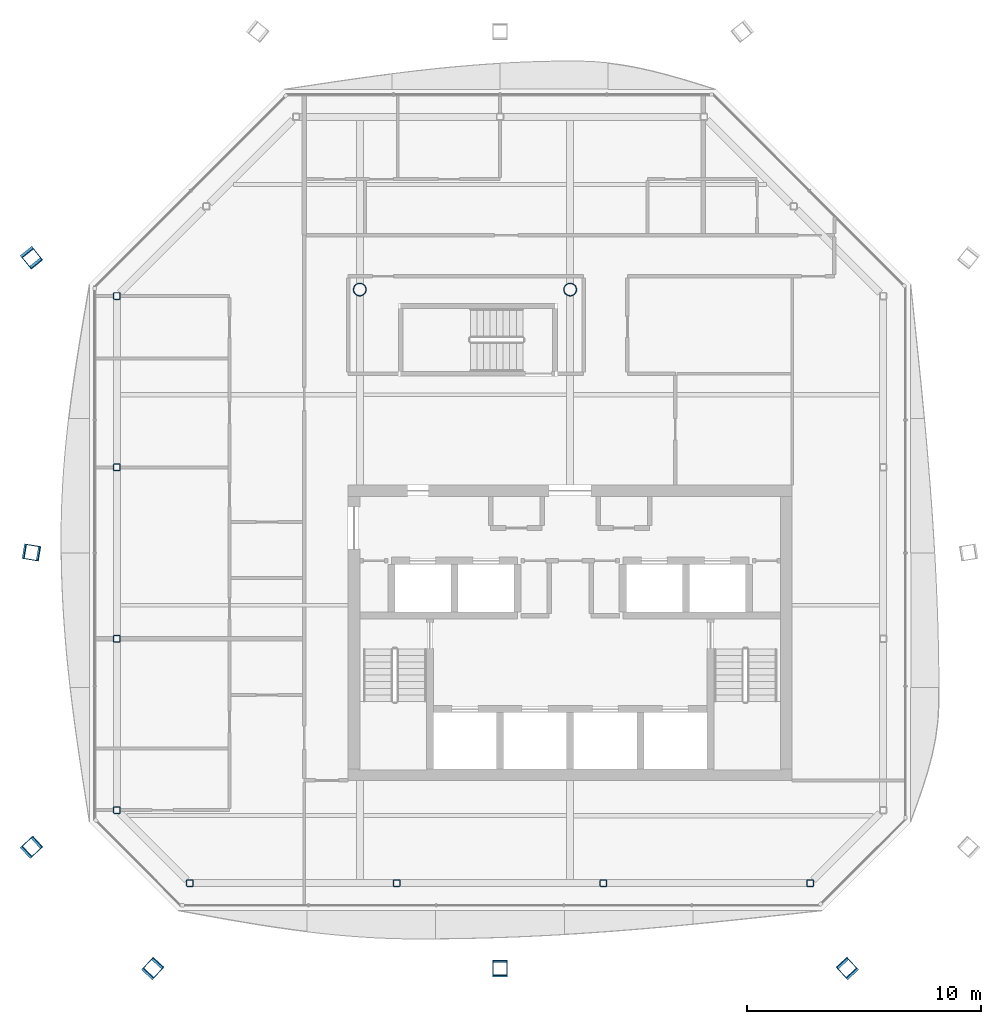
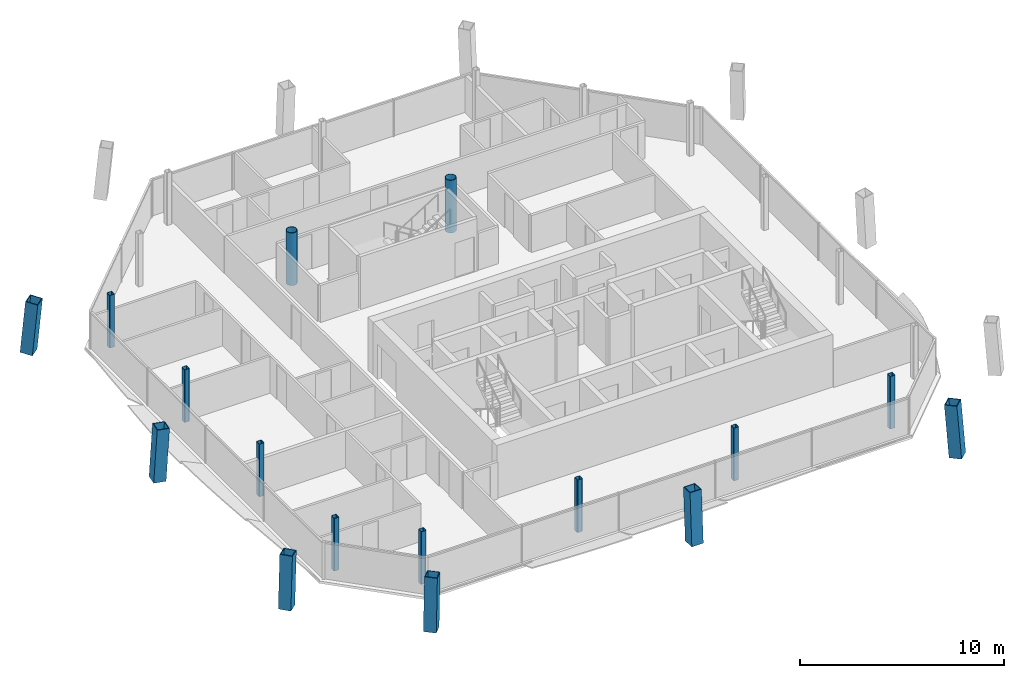
# One storey, part 1 of 16: 16 columns.
"""IFC4 building model written with IfcOpenShell, lengths in metres."""

import ifcopenshell
import ifcopenshell.guid

model = None  # the IFC model being written
_history = None  # IfcOwnerHistory: only IFC2X3 demands one
_inside = {}  # id of a spatial element -> (the spatial element, [elements in it])
_under = {}  # id of a project, library or spatial element -> (it, [spatial elements below it])
_declared = {}  # id of a project -> (the project, [libraries it declares])
_typed = {}  # id of a type object -> (the type object, [elements of that type])
_made_of = {}  # id of a material, layer set ... -> (it, [elements and type objects made of it])


def new_model(schema):
    """Start an empty IFC model of exactly this schema.

    Asked for "IFC4X3", IfcOpenShell would pick the latest addendum, in which some entities
    have other attributes; the version numbers below select the first issue.
    IFC2X3 requires an IfcOwnerHistory on every rooted entity: one is made here for all.
    """
    global model, _history
    if schema == "IFC4X3":
        model = ifcopenshell.file(schema_version=(4, 3, 0, 0))
    else:
        model = ifcopenshell.file(schema=schema)
    _inside.clear()
    _under.clear()
    _declared.clear()
    _typed.clear()
    _made_of.clear()
    _history = None
    if model.schema == "IFC2X3":
        org = make("IfcOrganization", Name="unknown")
        user = make(
            "IfcPersonAndOrganization",
            ThePerson=make("IfcPerson", FamilyName="unknown"),
            TheOrganization=org,
        )
        app = make(
            "IfcApplication",
            ApplicationDeveloper=org,
            Version="unknown",
            ApplicationFullName="unknown",
            ApplicationIdentifier="unknown",
        )
        _history = make(
            "IfcOwnerHistory",
            OwningUser=user,
            OwningApplication=app,
            ChangeAction="ADDED",
            CreationDate=0,
        )
    return model


def make(cls, **values):
    """One entity of the class cls with the attributes given. An attribute that is None is left unset."""
    return model.create_entity(
        cls, **{name: value for name, value in values.items() if value is not None}
    )


def rooted(cls, **values):
    """An entity with a GlobalId (a new one), such as an element, a storey or a relation."""
    return make(cls, GlobalId=ifcopenshell.guid.new(), OwnerHistory=_history, **values)


def si_unit(unit_type, name, prefix=None):
    """IfcSIUnit, for example si_unit("LENGTHUNIT", "METRE", prefix="MILLI")."""
    return make("IfcSIUnit", UnitType=unit_type, Prefix=prefix, Name=name)


def assignment(units):
    """IfcUnitAssignment: the units of a project."""
    return None if units is None else make("IfcUnitAssignment", Units=units)


def point(xyz):
    """IfcCartesianPoint."""
    return None if xyz is None else make("IfcCartesianPoint", Coordinates=xyz)


def direction(xyz):
    """IfcDirection."""
    return None if xyz is None else make("IfcDirection", DirectionRatios=xyz)


def frame(location, z_axis=None, x_axis=None):
    """IfcAxis2Placement3D, a coordinate frame: its origin and axes. An axis left out is left unset."""
    return make(
        "IfcAxis2Placement3D",
        Location=point(location),
        Axis=direction(z_axis),
        RefDirection=direction(x_axis),
    )


def frame_2d(location, x_axis=None):
    """IfcAxis2Placement2D, a coordinate frame in the plane: its origin and x axis."""
    return make(
        "IfcAxis2Placement2D", Location=point(location), RefDirection=direction(x_axis)
    )


def origin():
    """The frame at (0, 0, 0) with its axes left unset."""
    return frame((0.0, 0.0, 0.0))


def origin_2d():
    """The frame at (0, 0) in the plane with its x axis left unset."""
    return frame_2d((0.0, 0.0))


def place(relative_to, where):
    """IfcLocalPlacement: puts the frame where relative to a parent placement (None: the world)."""
    return make(
        "IfcLocalPlacement", PlacementRelTo=relative_to, RelativePlacement=where
    )


def context(
    kind, dimensions, precision=None, world=None, true_north=None, identifier=None
):
    """IfcGeometricRepresentationContext, for example the 3D "Model" context."""
    return make(
        "IfcGeometricRepresentationContext",
        ContextIdentifier=identifier,
        ContextType=kind,
        CoordinateSpaceDimension=dimensions,
        Precision=precision,
        WorldCoordinateSystem=world,
        TrueNorth=true_north,
    )


def subcontext(parent, identifier, kind, view, scale=None):
    """IfcGeometricRepresentationSubContext, for example "Body" below "Model"."""
    return make(
        "IfcGeometricRepresentationSubContext",
        ContextIdentifier=identifier,
        ContextType=kind,
        ParentContext=parent,
        TargetScale=scale,
        TargetView=view,
    )


def project(units=None, contexts=None):
    """IfcProject with its units and contexts."""
    return rooted(
        "IfcProject",
        Name="project",
        RepresentationContexts=contexts,
        UnitsInContext=assignment(units),
    )


def spatial(cls, under=None, at=None, **own):
    """A site, building, storey or space (cls), placed at a placement, below another one or the project."""
    s = rooted(cls, ObjectPlacement=at, **own)
    if under is not None:
        _under.setdefault(under.id(), (under, []))[1].append(s)
    return s


def profile(cls, at=None, kind="AREA", **sizes):
    """A parametric profile (cls). Its sizes go by their IFC names, for example OverallWidth=200.0."""
    return make(cls, ProfileType=kind, Position=at, **sizes)


def hollow_rectangle(**sizes):
    """IfcRectangleHollowProfileDef."""
    return profile("IfcRectangleHollowProfileDef", **sizes)


def hollow_circle(**sizes):
    """IfcCircleHollowProfileDef."""
    return profile("IfcCircleHollowProfileDef", **sizes)


def extrude(swept, where, along, depth):
    """IfcExtrudedAreaSolid: the profile swept, set in the frame where, extruded along a direction by depth."""
    return make(
        "IfcExtrudedAreaSolid",
        SweptArea=swept,
        Position=where,
        ExtrudedDirection=direction(along),
        Depth=depth,
    )


def shape(context_of_items, identifier, shape_type, items):
    """IfcShapeRepresentation: the items that make up one representation, for example the "Body"."""
    return make(
        "IfcShapeRepresentation",
        ContextOfItems=context_of_items,
        RepresentationIdentifier=identifier,
        RepresentationType=shape_type,
        Items=items,
    )


def material(Name=None, Category=None):
    """IfcMaterial."""
    return make("IfcMaterial", Name=Name, Category=Category)


def material_profile(
    of_material, cross_section, Name=None, Category=None, Priority=None
):
    """IfcMaterialProfile: a cross section and its material."""
    return make(
        "IfcMaterialProfile",
        Name=Name,
        Material=of_material,
        Profile=cross_section,
        Priority=Priority,
        Category=Category,
    )


def profile_set(profiles, Name=None, composite=None):
    """IfcMaterialProfileSet."""
    return make(
        "IfcMaterialProfileSet",
        Name=Name,
        MaterialProfiles=profiles,
        CompositeProfile=composite,
    )


def made_of(thing, what):
    """Note that an element or type object is made of a material, layer set ...; save() writes the relation."""
    if what is not None:
        _made_of.setdefault(what.id(), (what, []))[1].append(thing)
    return thing


def type_object(cls, material=None, **own):
    """A type object (cls), such as IfcWallType, which elements share."""
    return made_of(rooted(cls, **own), material)


def element(
    cls,
    number,
    at=None,
    inside=None,
    cuts=None,
    type_object=None,
    material=None,
    context=None,
    identifier="Body",
    shape_type=None,
    held_by="IfcProductDefinitionShape",
    body=None,
    shapes=None,
    **own,
):
    """One element of the class cls, such as IfcWall. Its Tag is "e" and its number.

    at: its placement. inside: the storey or other place that contains it. cuts: it is an
    opening in that element (IfcRelVoidsElement). A single representation is given by context,
    identifier, shape_type and body (its items); several are given by shapes. held_by: the class
    of the entity that holds the representations. save() writes the other relations.
    """
    e = rooted(cls, Tag="e%d" % number, ObjectPlacement=at, **own)
    if body is not None:
        shapes = [shape(context, identifier, shape_type, body)]
    if shapes is not None:
        e.Representation = make(held_by, Representations=shapes)
    if inside is not None:
        _inside.setdefault(inside.id(), (inside, []))[1].append(e)
    if cuts is not None:
        rooted(
            "IfcRelVoidsElement", RelatingBuildingElement=cuts, RelatedOpeningElement=e
        )
    if type_object is not None:
        _typed.setdefault(type_object.id(), (type_object, []))[1].append(e)
    return made_of(e, material)


def aggregate(whole, parts):
    """IfcRelAggregates: a whole, such as a stair, and the parts it consists of."""
    return rooted("IfcRelAggregates", RelatingObject=whole, RelatedObjects=parts)


def save(model, path):
    """Write the relations noted so far, then the file.

    IfcRelAggregates (storeys below a building ...), IfcRelContainedInSpatialStructure (elements
    in a storey), IfcRelDefinesByType, IfcRelAssociatesMaterial and IfcRelDeclares: one each for
    every whole, place, type object, material and project.
    """
    for whole, parts in _under.values():
        aggregate(whole, parts)
    for where, things in _inside.values():
        rooted(
            "IfcRelContainedInSpatialStructure",
            RelatedElements=things,
            RelatingStructure=where,
        )
    for kind, things in _typed.values():
        rooted("IfcRelDefinesByType", RelatedObjects=things, RelatingType=kind)
    for what, things in _made_of.values():
        rooted("IfcRelAssociatesMaterial", RelatedObjects=things, RelatingMaterial=what)
    for by, libraries in _declared.values():
        rooted("IfcRelDeclares", RelatingContext=by, RelatedDefinitions=libraries)
    model.write(path)


model = new_model("IFC4")

# Units and contexts
model_context = context("Model", 3, precision=1e-05, world=origin(), true_north=direction((0.0, 1.0)))
body_context = subcontext(model_context, "Body", "Model", "MODEL_VIEW")
ifc_project = project(units=[si_unit("LENGTHUNIT", "METRE"), si_unit("AREAUNIT", "SQUARE_METRE"), si_unit("VOLUMEUNIT", "CUBIC_METRE"), si_unit("PLANEANGLEUNIT", "RADIAN"), si_unit("MASSUNIT", "GRAM", prefix="KILO")], contexts=[model_context])

# Site, building, storey
site_placement = place(None, origin())
site = spatial("IfcSite", under=ifc_project, at=site_placement, CompositionType="ELEMENT")
building_placement = place(site_placement, origin())
building = spatial("IfcBuilding", under=site, at=building_placement, Name="Tskaro Facet Tower", CompositionType="ELEMENT")
storey_placement = place(building_placement, frame((0.0, 0.0, 251.85009765625)))
storey = spatial("IfcBuildingStorey", under=building, at=storey_placement, Name="L66", CompositionType="ELEMENT", Elevation=251.85009765625)

# Columns
ifc_material_1 = material(Name="Steel S355J2", Category="steel")
ifc_material_profile_1 = material_profile(ifc_material_1, hollow_rectangle(XDim=0.64990234375, YDim=0.64990234375, WallThickness=0.0400390625, at=origin_2d()), Name="BOX 650x650x40")
ifc_profile_set_1 = profile_set([ifc_material_profile_1], Name="Steel S355J2")
column_type_1 = type_object("IfcColumnType", Name="BOX 650x650x40 mega column", PredefinedType="COLUMN", material=ifc_profile_set_1)
column_1_placement = place(storey_placement, frame((-17.885986328125, -20.075927734375, 0.0), z_axis=(0.052811503593, 0.057897055791, 0.996924709303), x_axis=(-0.738809628439, 0.673914188103, 0.0)))
element("IfcColumn", 1, at=column_1_placement, inside=storey, type_object=column_type_1, Name="BOX 650x650x40 MC01/5", PredefinedType="COLUMN", context=body_context, shape_type="SweptSolid", body=[
    extrude(hollow_rectangle(XDim=0.64990234375, YDim=0.64990234375, WallThickness=0.0400390625, at=origin_2d()), origin(), (0.0, 0.0, 1.0), 3.120361328125),
])
column_2_placement = place(storey_placement, frame((-3.0, -20.075927734375, 0.0), z_axis=(0.0, 0.057961858241, 0.998318798275), x_axis=(-1.0, 0.0, 0.0)))
element("IfcColumn", 2, at=column_2_placement, inside=storey, type_object=column_type_1, Name="BOX 650x650x40 MC02/5", PredefinedType="COLUMN", context=body_context, shape_type="SweptSolid", body=[
    extrude(hollow_rectangle(XDim=0.64990234375, YDim=0.64990234375, WallThickness=0.0400390625, at=origin_2d()), origin(), (0.0, 0.0, 1.0), 3.12548828125),
])
column_3_placement = place(storey_placement, frame((11.885986328125, -20.075927734375, 0.0), z_axis=(-0.052811503593, 0.057897055791, 0.996924709303), x_axis=(-0.738809628439, -0.673914188103, 0.0)))
element("IfcColumn", 3, at=column_3_placement, inside=storey, type_object=column_type_1, Name="BOX 650x650x40 MC03/5", PredefinedType="COLUMN", context=body_context, shape_type="SweptSolid", body=[
    extrude(hollow_rectangle(XDim=0.64990234375, YDim=0.64990234375, WallThickness=0.0400390625, at=origin_2d()), origin(), (0.0, 0.0, 1.0), 3.120361328125),
])
column_4_placement = place(storey_placement, frame((-23.075927734375, 10.403076171875, 0.0), z_axis=(0.057790053393, -0.071806882061, 0.995742979597), x_axis=(0.779042047511, 0.626971680549, 0.0)))
element("IfcColumn", 4, at=column_4_placement, inside=storey, type_object=column_type_1, Name="BOX 650x650x40 MC10/5", PredefinedType="COLUMN", context=body_context, shape_type="SweptSolid", body=[
    extrude(hollow_rectangle(XDim=0.64990234375, YDim=0.64990234375, WallThickness=0.0400390625, at=origin_2d()), origin(), (0.0, 0.0, 1.0), 3.11767578125),
])
column_5_placement = place(storey_placement, frame((-23.075927734375, -2.240966796875, 0.0), z_axis=(0.057963746138, -0.009530427263, 0.99827319662), x_axis=(0.162242075901, 0.986750986221, 0.0)))
element("IfcColumn", 5, at=column_5_placement, inside=storey, type_object=column_type_1, Name="BOX 650x650x40 MC11/5", PredefinedType="COLUMN", context=body_context, shape_type="SweptSolid", body=[
    extrude(hollow_rectangle(XDim=0.64990234375, YDim=0.64990234375, WallThickness=0.0400390625, at=origin_2d()), origin(), (0.0, 0.0, 1.0), 3.125244140625),
])
column_6_placement = place(storey_placement, frame((-23.075927734375, -14.885986328125, 0.0), z_axis=(0.057897055791, 0.052811503593, 0.996924709303), x_axis=(-0.673914188103, 0.738809628439, 0.0)))
element("IfcColumn", 6, at=column_6_placement, inside=storey, type_object=column_type_1, Name="BOX 650x650x40 MC12/5", PredefinedType="COLUMN", context=body_context, shape_type="SweptSolid", body=[
    extrude(hollow_rectangle(XDim=0.64990234375, YDim=0.64990234375, WallThickness=0.0400390625, at=origin_2d()), origin(), (0.0, 0.0, 1.0), 3.120361328125),
])
ifc_material_2 = material(Name="Steel S355J2H", Category="steel")
ifc_material_profile_2 = material_profile(ifc_material_2, hollow_circle(Radius=0.279541015625, WallThickness=0.02490234375, at=origin_2d()), Name="CHS 559x25")
ifc_profile_set_2 = profile_set([ifc_material_profile_2], Name="Steel S355J2H")
column_type_2 = type_object("IfcColumnType", Name="CHS 559x25 interior column", PredefinedType="COLUMN", material=ifc_profile_set_2)
for number, where, z_axis, x_axis, name in (
    (7, (-9.0, 9.0, 0.0), (0.0, 0.0, 1.0), (1.0, 0.0, 0.0), "CHS 559x25 C3E/5"),
    (8, (0.0, 9.0, 0.0), (0.0, 0.0, 1.0), (1.0, 0.0, 0.0), "CHS 559x25 C4E/5"),
):
    element("IfcColumn", number, at=place(storey_placement, frame(where, z_axis=z_axis, x_axis=x_axis)), inside=storey, type_object=column_type_2, Name=name, PredefinedType="COLUMN", context=body_context, shape_type="SweptSolid", body=[
        extrude(hollow_circle(Radius=0.279541015625, WallThickness=0.02490234375, at=origin_2d()), origin(), (0.0, 0.0, 1.0), 3.14990234375),
    ])
ifc_material_profile_3 = material_profile(ifc_material_2, hollow_rectangle(XDim=0.300048828125, YDim=0.300048828125, WallThickness=0.02001953125, InnerFilletRadius=0.030029296875, OuterFilletRadius=0.050048828125, at=origin_2d()), Name="SHS 300x300x20")
ifc_profile_set_3 = profile_set([ifc_material_profile_3], Name="Steel S355J2H")
column_type_3 = type_object("IfcColumnType", Name="SHS 300x300x20 ring column", PredefinedType="COLUMN", material=ifc_profile_set_3)
for number, where, z_axis, x_axis, name in (
    (9, (-16.26806640625, -16.39111328125, 0.0), (0.0, 0.0, 1.0), (1.0, 0.0, 0.0), "SHS 300x300x20 RS-1/5"),
    (10, (-7.423095703125, -16.39111328125, 0.0), (0.0, 0.0, 1.0), (1.0, 0.0, 0.0), "SHS 300x300x20 RS-2/5"),
    (11, (1.423095703125, -16.39111328125, 0.0), (0.0, 0.0, 1.0), (1.0, 0.0, 0.0), "SHS 300x300x20 RS-3/5"),
    (12, (10.26806640625, -16.39111328125, 0.0), (0.0, 0.0, 1.0), (1.0, 0.0, 0.0), "SHS 300x300x20 RSE-1/5"),
    (13, (-19.39111328125, 8.72509765625, 0.0), (0.0, 0.0, 1.0), (1.0, 0.0, 0.0), "SHS 300x300x20 RW-1/5"),
    (14, (-19.39111328125, 1.39404296875, 0.0), (0.0, 0.0, 1.0), (1.0, 0.0, 0.0), "SHS 300x300x20 RW-2/5"),
    (15, (-19.39111328125, -5.93701171875, 0.0), (0.0, 0.0, 1.0), (1.0, 0.0, 0.0), "SHS 300x300x20 RW-3/5"),
    (16, (-19.39111328125, -13.26806640625, 0.0), (0.0, 0.0, 1.0), (1.0, 0.0, 0.0), "SHS 300x300x20 RSW-1/5"),
):
    element("IfcColumn", number, at=place(storey_placement, frame(where, z_axis=z_axis, x_axis=x_axis)), inside=storey, type_object=column_type_3, Name=name, PredefinedType="COLUMN", context=body_context, shape_type="SweptSolid", body=[
        extrude(hollow_rectangle(XDim=0.300048828125, YDim=0.300048828125, WallThickness=0.02001953125, InnerFilletRadius=0.030029296875, OuterFilletRadius=0.050048828125, at=origin_2d()), origin(), (0.0, 0.0, 1.0), 3.14990234375),
    ])

save(model, "model.ifc")
